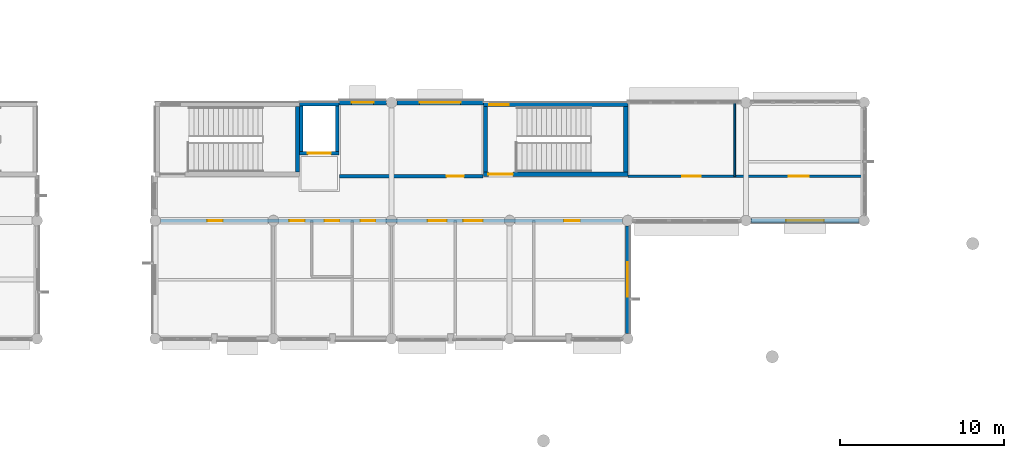
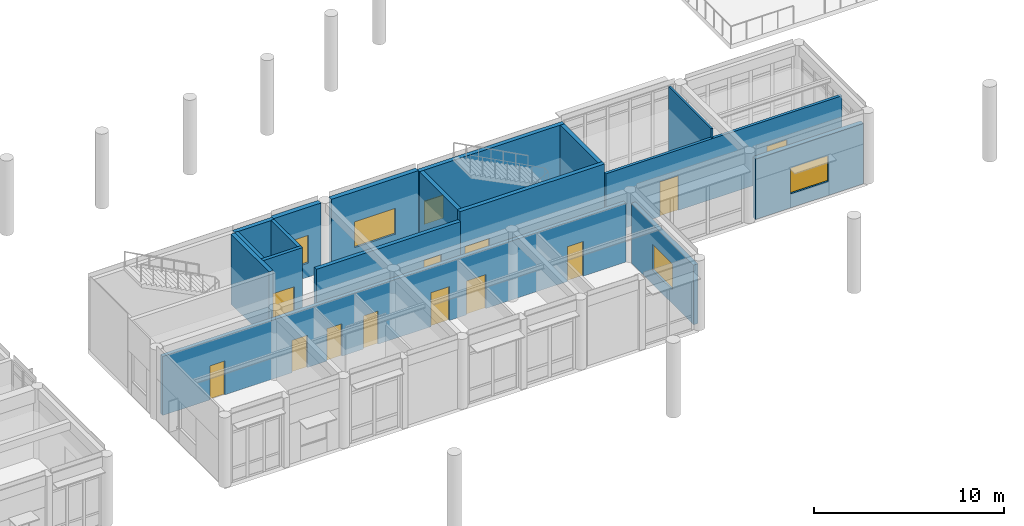
# One storey, part 48 of 92: 17 walls, 12 doors, 5 windows, 17 openings.
"""IFC4 building model written with IfcOpenShell, lengths in metres."""

import ifcopenshell
import ifcopenshell.guid

model = None  # the IFC model being written
_history = None  # IfcOwnerHistory: only IFC2X3 demands one
_inside = {}  # id of a spatial element -> (the spatial element, [elements in it])
_under = {}  # id of a project, library or spatial element -> (it, [spatial elements below it])
_declared = {}  # id of a project -> (the project, [libraries it declares])
_typed = {}  # id of a type object -> (the type object, [elements of that type])
_made_of = {}  # id of a material, layer set ... -> (it, [elements and type objects made of it])


def new_model(schema):
    """Start an empty IFC model of exactly this schema.

    Asked for "IFC4X3", IfcOpenShell would pick the latest addendum, in which some entities
    have other attributes; the version numbers below select the first issue.
    IFC2X3 requires an IfcOwnerHistory on every rooted entity: one is made here for all.
    """
    global model, _history
    if schema == "IFC4X3":
        model = ifcopenshell.file(schema_version=(4, 3, 0, 0))
    else:
        model = ifcopenshell.file(schema=schema)
    _inside.clear()
    _under.clear()
    _declared.clear()
    _typed.clear()
    _made_of.clear()
    _history = None
    if model.schema == "IFC2X3":
        org = make("IfcOrganization", Name="unknown")
        user = make(
            "IfcPersonAndOrganization",
            ThePerson=make("IfcPerson", FamilyName="unknown"),
            TheOrganization=org,
        )
        app = make(
            "IfcApplication",
            ApplicationDeveloper=org,
            Version="unknown",
            ApplicationFullName="unknown",
            ApplicationIdentifier="unknown",
        )
        _history = make(
            "IfcOwnerHistory",
            OwningUser=user,
            OwningApplication=app,
            ChangeAction="ADDED",
            CreationDate=0,
        )
    return model


def make(cls, **values):
    """One entity of the class cls with the attributes given. An attribute that is None is left unset."""
    return model.create_entity(
        cls, **{name: value for name, value in values.items() if value is not None}
    )


def rooted(cls, **values):
    """An entity with a GlobalId (a new one), such as an element, a storey or a relation."""
    return make(cls, GlobalId=ifcopenshell.guid.new(), OwnerHistory=_history, **values)


def si_unit(unit_type, name, prefix=None):
    """IfcSIUnit, for example si_unit("LENGTHUNIT", "METRE", prefix="MILLI")."""
    return make("IfcSIUnit", UnitType=unit_type, Prefix=prefix, Name=name)


def assignment(units):
    """IfcUnitAssignment: the units of a project."""
    return None if units is None else make("IfcUnitAssignment", Units=units)


def point(xyz):
    """IfcCartesianPoint."""
    return None if xyz is None else make("IfcCartesianPoint", Coordinates=xyz)


def direction(xyz):
    """IfcDirection."""
    return None if xyz is None else make("IfcDirection", DirectionRatios=xyz)


def frame(location, z_axis=None, x_axis=None):
    """IfcAxis2Placement3D, a coordinate frame: its origin and axes. An axis left out is left unset."""
    return make(
        "IfcAxis2Placement3D",
        Location=point(location),
        Axis=direction(z_axis),
        RefDirection=direction(x_axis),
    )


def frame_2d(location, x_axis=None):
    """IfcAxis2Placement2D, a coordinate frame in the plane: its origin and x axis."""
    return make(
        "IfcAxis2Placement2D", Location=point(location), RefDirection=direction(x_axis)
    )


def origin():
    """The frame at (0, 0, 0) with its axes left unset."""
    return frame((0.0, 0.0, 0.0))


def place(relative_to, where):
    """IfcLocalPlacement: puts the frame where relative to a parent placement (None: the world)."""
    return make(
        "IfcLocalPlacement", PlacementRelTo=relative_to, RelativePlacement=where
    )


def context(
    kind, dimensions, precision=None, world=None, true_north=None, identifier=None
):
    """IfcGeometricRepresentationContext, for example the 3D "Model" context."""
    return make(
        "IfcGeometricRepresentationContext",
        ContextIdentifier=identifier,
        ContextType=kind,
        CoordinateSpaceDimension=dimensions,
        Precision=precision,
        WorldCoordinateSystem=world,
        TrueNorth=true_north,
    )


def subcontext(parent, identifier, kind, view, scale=None):
    """IfcGeometricRepresentationSubContext, for example "Body" below "Model"."""
    return make(
        "IfcGeometricRepresentationSubContext",
        ContextIdentifier=identifier,
        ContextType=kind,
        ParentContext=parent,
        TargetScale=scale,
        TargetView=view,
    )


def project(units=None, contexts=None):
    """IfcProject with its units and contexts."""
    return rooted(
        "IfcProject",
        Name="project",
        RepresentationContexts=contexts,
        UnitsInContext=assignment(units),
    )


def spatial(cls, under=None, at=None, **own):
    """A site, building, storey or space (cls), placed at a placement, below another one or the project."""
    s = rooted(cls, ObjectPlacement=at, **own)
    if under is not None:
        _under.setdefault(under.id(), (under, []))[1].append(s)
    return s


def profile(cls, at=None, kind="AREA", **sizes):
    """A parametric profile (cls). Its sizes go by their IFC names, for example OverallWidth=200.0."""
    return make(cls, ProfileType=kind, Position=at, **sizes)


def rectangle(**sizes):
    """IfcRectangleProfileDef."""
    return profile("IfcRectangleProfileDef", **sizes)


def extrude(swept, where, along, depth):
    """IfcExtrudedAreaSolid: the profile swept, set in the frame where, extruded along a direction by depth."""
    return make(
        "IfcExtrudedAreaSolid",
        SweptArea=swept,
        Position=where,
        ExtrudedDirection=direction(along),
        Depth=depth,
    )


def shape(context_of_items, identifier, shape_type, items):
    """IfcShapeRepresentation: the items that make up one representation, for example the "Body"."""
    return make(
        "IfcShapeRepresentation",
        ContextOfItems=context_of_items,
        RepresentationIdentifier=identifier,
        RepresentationType=shape_type,
        Items=items,
    )


def material(Name=None, Category=None):
    """IfcMaterial."""
    return make("IfcMaterial", Name=Name, Category=Category)


def layer(
    of_material, thickness, ventilated=None, Name=None, Category=None, Priority=None
):
    """IfcMaterialLayer: one layer of a wall or slab, of a material (None: an air gap)."""
    return make(
        "IfcMaterialLayer",
        Material=of_material,
        LayerThickness=thickness,
        IsVentilated=ventilated,
        Name=Name,
        Category=Category,
        Priority=Priority,
    )


def layer_set(layers, Name=None):
    """IfcMaterialLayerSet."""
    return make("IfcMaterialLayerSet", MaterialLayers=layers, LayerSetName=Name)


def made_of(thing, what):
    """Note that an element or type object is made of a material, layer set ...; save() writes the relation."""
    if what is not None:
        _made_of.setdefault(what.id(), (what, []))[1].append(thing)
    return thing


def type_object(cls, material=None, **own):
    """A type object (cls), such as IfcWallType, which elements share."""
    return made_of(rooted(cls, **own), material)


def element(
    cls,
    number,
    at=None,
    inside=None,
    cuts=None,
    type_object=None,
    material=None,
    context=None,
    identifier="Body",
    shape_type=None,
    held_by="IfcProductDefinitionShape",
    body=None,
    shapes=None,
    **own,
):
    """One element of the class cls, such as IfcWall. Its Tag is "e" and its number.

    at: its placement. inside: the storey or other place that contains it. cuts: it is an
    opening in that element (IfcRelVoidsElement). A single representation is given by context,
    identifier, shape_type and body (its items); several are given by shapes. held_by: the class
    of the entity that holds the representations. save() writes the other relations.
    """
    e = rooted(cls, Tag="e%d" % number, ObjectPlacement=at, **own)
    if body is not None:
        shapes = [shape(context, identifier, shape_type, body)]
    if shapes is not None:
        e.Representation = make(held_by, Representations=shapes)
    if inside is not None:
        _inside.setdefault(inside.id(), (inside, []))[1].append(e)
    if cuts is not None:
        rooted(
            "IfcRelVoidsElement", RelatingBuildingElement=cuts, RelatedOpeningElement=e
        )
    if type_object is not None:
        _typed.setdefault(type_object.id(), (type_object, []))[1].append(e)
    return made_of(e, material)


def fill(opening, filler):
    """IfcRelFillsElement: the door or window that sits in an opening."""
    return rooted(
        "IfcRelFillsElement",
        RelatingOpeningElement=opening,
        RelatedBuildingElement=filler,
    )


def aggregate(whole, parts):
    """IfcRelAggregates: a whole, such as a stair, and the parts it consists of."""
    return rooted("IfcRelAggregates", RelatingObject=whole, RelatedObjects=parts)


def save(model, path):
    """Write the relations noted so far, then the file.

    IfcRelAggregates (storeys below a building ...), IfcRelContainedInSpatialStructure (elements
    in a storey), IfcRelDefinesByType, IfcRelAssociatesMaterial and IfcRelDeclares: one each for
    every whole, place, type object, material and project.
    """
    for whole, parts in _under.values():
        aggregate(whole, parts)
    for where, things in _inside.values():
        rooted(
            "IfcRelContainedInSpatialStructure",
            RelatedElements=things,
            RelatingStructure=where,
        )
    for kind, things in _typed.values():
        rooted("IfcRelDefinesByType", RelatedObjects=things, RelatingType=kind)
    for what, things in _made_of.values():
        rooted("IfcRelAssociatesMaterial", RelatedObjects=things, RelatingMaterial=what)
    for by, libraries in _declared.values():
        rooted("IfcRelDeclares", RelatingContext=by, RelatedDefinitions=libraries)
    model.write(path)


model = new_model("IFC4")

# Units and contexts
model_context = context("Model", 3, precision=1e-05, world=origin(), true_north=direction((0.0, 1.0)))
body_context = subcontext(model_context, "Body", "Model", "MODEL_VIEW")
ifc_project = project(units=[si_unit("LENGTHUNIT", "METRE"), si_unit("AREAUNIT", "SQUARE_METRE"), si_unit("VOLUMEUNIT", "CUBIC_METRE"), si_unit("PLANEANGLEUNIT", "RADIAN"), si_unit("MASSUNIT", "GRAM", prefix="KILO")], contexts=[model_context])

# Site, building, storey
site_placement = place(None, origin())
site = spatial("IfcSite", under=ifc_project, at=site_placement, CompositionType="ELEMENT")
building_placement = place(site_placement, origin())
building = spatial("IfcBuilding", under=site, at=building_placement, Name="Namkhue Oval Health Centre", CompositionType="ELEMENT")
storey_placement = place(building_placement, frame((0.0, 0.0, 4.800048828125)))
storey = spatial("IfcBuildingStorey", under=building, at=storey_placement, Name="L01", CompositionType="ELEMENT", Elevation=4.800048828125)

# Wall, opening, window
ifc_material_1 = material(Name="Autoclaved aerated concrete blockwork M7.5", Category="masonry")
ifc_layer_1 = layer(ifc_material_1, 0.260009765625)
ifc_layer_set_1 = layer_set([ifc_layer_1], Name="Autoclaved aerated concrete blockwork M7.5")
wall_type_1 = type_object("IfcWallType", Name="EXTERIOR ENVELOPE WALL 260", PredefinedType="STANDARD", material=ifc_layer_set_1)
wall_1_placement = place(storey_placement, frame((122.39990234375, 14.719970703125, 0.0), z_axis=(0.0, 0.0, 1.0), x_axis=(0.0, 1.0, 0.0)))
wall_1 = element("IfcWall", 1, at=wall_1_placement, inside=storey, type_object=wall_type_1, Name="Volume V5 L01 Exterior Envelope Wall 121", PredefinedType="STANDARD", context=body_context, shape_type="SweptSolid", body=[
    extrude(rectangle(XDim=6.56005859375, YDim=0.260009765625, at=frame_2d((3.280029296875, 0.0))), origin(), (0.0, 0.0, 1.0), 3.83984375),
])
opening_1_placement = place(wall_1_placement, frame((2.22998046875, 0.0, 0.89990234375)))
opening_1 = element("IfcOpeningElement", 2, at=opening_1_placement, cuts=wall_1, Name="Opening WN-38", PredefinedType="OPENING", context=body_context, shape_type="SweptSolid", body=[
    extrude(rectangle(XDim=2.10009765625, YDim=1.659912109375, at=frame_2d((1.050048828125, 0.830078125))), frame((0.0, 0.139892578125, 0.0), z_axis=(0.0, -1.0, 0.0), x_axis=(1.0, 0.0, 0.0)), (0.0, 0.0, 1.0), 0.280029296875),
])
ifc_material_2 = material(Name="Thermally broken low-E laminated double glazing", Category="glass")
window_type_1 = type_object("IfcWindowType", Name="EXTERIOR WINDOW 2100X1660", PartitioningType="SINGLE_PANEL", PredefinedType="WINDOW", material=ifc_material_2)
window_1_placement = place(opening_1_placement, origin())
window_1 = element("IfcWindow", 3, at=window_1_placement, inside=storey, type_object=window_type_1, Name="Volume V5 L01 Exterior Window 83", OverallHeight=1.659912109375, OverallWidth=2.10009765625, PartitioningType="SINGLE_PANEL", PredefinedType="WINDOW", context=body_context, shape_type="SweptSolid", body=[
    extrude(rectangle(XDim=2.10009765625, YDim=1.659912109375, at=frame_2d((1.050048828125, 0.830078125))), frame((0.0, 0.030029296875, 0.0), z_axis=(0.0, -1.0, 0.0), x_axis=(1.0, 0.0, 0.0)), (0.0, 0.0, 1.0), 0.06005859375),
])
fill(opening_1, window_1)

ifc_layer_2 = layer(ifc_material_1, 0.27001953125)
ifc_layer_set_2 = layer_set([ifc_layer_2], Name="Autoclaved aerated concrete blockwork M7.5")
wall_type_2 = type_object("IfcWallType", Name="EXTERIOR ENVELOPE WALL 270", PredefinedType="STANDARD", material=ifc_layer_set_2)
wall_2_placement = place(storey_placement, frame((129.919921875, 21.60009765625, 0.0), z_axis=(0.0, 0.0, 1.0), x_axis=(1.0, 0.0, 0.0)))
wall_2 = element("IfcWall", 4, at=wall_2_placement, inside=storey, type_object=wall_type_2, Name="Volume V5 L01 Exterior Envelope Wall 122", PredefinedType="STANDARD", context=body_context, shape_type="SweptSolid", body=[
    extrude(rectangle(XDim=6.56005859375, YDim=0.27001953125, at=frame_2d((3.280029296875, 0.0))), origin(), (0.0, 0.0, 1.0), 3.887939453125),
])
opening_2_placement = place(wall_2_placement, frame((2.1298828125, 0.0, 0.89990234375)))
opening_2 = element("IfcOpeningElement", 5, at=opening_2_placement, cuts=wall_2, Name="Opening WN-39", PredefinedType="OPENING", context=body_context, shape_type="SweptSolid", body=[
    extrude(rectangle(XDim=2.300048828125, YDim=1.659912109375, at=frame_2d((1.14990234375, 0.830078125))), frame((0.0, 0.14501953125, 0.0), z_axis=(0.0, -1.0, 0.0), x_axis=(1.0, 0.0, 0.0)), (0.0, 0.0, 1.0), 0.2900390625),
])
window_type_2 = type_object("IfcWindowType", Name="EXTERIOR WINDOW 2300X1660", PartitioningType="SINGLE_PANEL", PredefinedType="WINDOW", material=ifc_material_2)
window_2_placement = place(opening_2_placement, origin())
window_2 = element("IfcWindow", 6, at=window_2_placement, inside=storey, type_object=window_type_2, Name="Volume V5 L01 Exterior Window 84", OverallHeight=1.659912109375, OverallWidth=2.300048828125, PartitioningType="SINGLE_PANEL", PredefinedType="WINDOW", context=body_context, shape_type="SweptSolid", body=[
    extrude(rectangle(XDim=2.300048828125, YDim=1.659912109375, at=frame_2d((1.14990234375, 0.830078125))), frame((0.0, 0.030029296875, 0.0), z_axis=(0.0, -1.0, 0.0), x_axis=(1.0, 0.0, 0.0)), (0.0, 0.0, 1.0), 0.06005859375),
])
fill(opening_2, window_2)

ifc_layer_3 = layer(ifc_material_1, 0.280029296875)
ifc_layer_set_3 = layer_set([ifc_layer_3], Name="Autoclaved aerated concrete blockwork M7.5")
wall_type_3 = type_object("IfcWallType", Name="EXTERIOR ENVELOPE WALL 280", PredefinedType="STANDARD", material=ifc_layer_set_3)
wall_3_placement = place(storey_placement, frame((113.597900390625, 28.800048828125, 0.0), z_axis=(0.0, 0.0, 1.0), x_axis=(-1.0, 0.0, 0.0)))
wall_3 = element("IfcWall", 7, at=wall_3_placement, inside=storey, type_object=wall_type_3, Name="Volume V5 L01 Exterior Envelope Wall 123", PredefinedType="STANDARD", context=body_context, shape_type="SweptSolid", body=[
    extrude(rectangle(XDim=5.27783203125, YDim=0.280029296875, at=frame_2d((2.638916015625, 0.0))), origin(), (0.0, 0.0, 1.0), 4.489990234375),
])
opening_3_placement = place(wall_3_placement, frame((1.388916015625, 0.0, 0.89990234375)))
opening_3 = element("IfcOpeningElement", 8, at=opening_3_placement, cuts=wall_3, Name="Opening WN-40", PredefinedType="OPENING", context=body_context, shape_type="SweptSolid", body=[
    extrude(rectangle(XDim=2.5, YDim=1.659912109375, at=frame_2d((1.25, 0.830078125))), frame((0.0, 0.14990234375, 0.0), z_axis=(0.0, -1.0, 0.0), x_axis=(1.0, 0.0, 0.0)), (0.0, 0.0, 1.0), 0.300048828125),
])
window_type_3 = type_object("IfcWindowType", Name="EXTERIOR WINDOW 2500X1660", PartitioningType="SINGLE_PANEL", PredefinedType="WINDOW", material=ifc_material_2)
window_3_placement = place(opening_3_placement, origin())
window_3 = element("IfcWindow", 9, at=window_3_placement, inside=storey, type_object=window_type_3, Name="Volume V5 L01 Exterior Window 85", OverallHeight=1.659912109375, OverallWidth=2.5, PartitioningType="SINGLE_PANEL", PredefinedType="WINDOW", context=body_context, shape_type="SweptSolid", body=[
    extrude(rectangle(XDim=2.5, YDim=1.659912109375, at=frame_2d((1.25, 0.830078125))), frame((0.0, 0.030029296875, 0.0), z_axis=(0.0, -1.0, 0.0), x_axis=(1.0, 0.0, 0.0)), (0.0, 0.0, 1.0), 0.06005859375),
])
fill(opening_3, window_3)

ifc_layer_4 = layer(ifc_material_1, 0.2900390625)
ifc_layer_set_4 = layer_set([ifc_layer_4], Name="Autoclaved aerated concrete blockwork M7.5")
wall_type_4 = type_object("IfcWallType", Name="EXTERIOR ENVELOPE WALL 290", PredefinedType="STANDARD", material=ifc_layer_set_4)
wall_4_placement = place(storey_placement, frame((107.679931640625, 28.800048828125, 0.0), z_axis=(0.0, 0.0, 1.0), x_axis=(-1.0, 0.0, 0.0)))
wall_4 = element("IfcWall", 10, at=wall_4_placement, inside=storey, type_object=wall_type_4, Name="Volume V5 L01 Exterior Envelope Wall 124", PredefinedType="STANDARD", context=body_context, shape_type="SweptSolid", body=[
    extrude(rectangle(XDim=2.8779296875, YDim=0.2900390625, at=frame_2d((1.43896484375, 0.0))), origin(), (0.0, 0.0, 1.0), 4.489990234375),
])
opening_4_placement = place(wall_4_placement, frame((0.763916015625, 0.0, 0.89990234375)))
opening_4 = element("IfcOpeningElement", 11, at=opening_4_placement, cuts=wall_4, Name="Opening WN-41", PredefinedType="OPENING", context=body_context, shape_type="SweptSolid", body=[
    extrude(rectangle(XDim=1.35009765625, YDim=1.780029296875, at=frame_2d((0.675048828125, 0.89013671875))), frame((0.0, 0.155029296875, 0.0), z_axis=(0.0, -1.0, 0.0), x_axis=(1.0, 0.0, 0.0)), (0.0, 0.0, 1.0), 0.31005859375),
])
window_type_4 = type_object("IfcWindowType", Name="EXTERIOR WINDOW 1350X1780", PartitioningType="SINGLE_PANEL", PredefinedType="WINDOW", material=ifc_material_2)
window_4_placement = place(opening_4_placement, origin())
window_4 = element("IfcWindow", 12, at=window_4_placement, inside=storey, type_object=window_type_4, Name="Volume V5 L01 Exterior Window 86", OverallHeight=1.780029296875, OverallWidth=1.35009765625, PartitioningType="SINGLE_PANEL", PredefinedType="WINDOW", context=body_context, shape_type="SweptSolid", body=[
    extrude(rectangle(XDim=1.35009765625, YDim=1.780029296875, at=frame_2d((0.675048828125, 0.89013671875))), frame((0.0, 0.030029296875, 0.0), z_axis=(0.0, -1.0, 0.0), x_axis=(1.0, 0.0, 0.0)), (0.0, 0.0, 1.0), 0.06005859375),
])
fill(opening_4, window_4)

# Wall, openings, doors
ifc_material_3 = material(Name="Gypsum plasterboard acoustic partition", Category="gypsum")
ifc_layer_5 = layer(ifc_material_3, 0.169921875)
ifc_layer_set_5 = layer_set([ifc_layer_5], Name="Gypsum plasterboard acoustic partition")
wall_type_5 = type_object("IfcWallType", Name="FIRE PARTITION WALL 170", PredefinedType="PARTITIONING", material=ifc_layer_set_5)
wall_5_placement = place(storey_placement, frame((122.419921875, 24.300048828125, 0.0), z_axis=(0.0, 0.0, 1.0), x_axis=(1.0, 0.0, 0.0)))
wall_5 = element("IfcWall", 13, at=wall_5_placement, inside=storey, type_object=wall_type_5, Name="Volume V5 L01 Clinical Partition Wall 225", PredefinedType="PARTITIONING", context=body_context, shape_type="SweptSolid", body=[
    extrude(rectangle(XDim=14.340087890625, YDim=0.169921875, at=frame_2d((7.169921875, 0.0))), origin(), (0.0, 0.0, 1.0), 3.887939453125),
])
opening_5_placement = place(wall_5_placement, frame((3.302001953125, 0.0, 0.0)))
opening_5 = element("IfcOpeningElement", 14, at=opening_5_placement, cuts=wall_5, Name="Opening CD-21", PredefinedType="OPENING", context=body_context, shape_type="SweptSolid", body=[
    extrude(rectangle(XDim=1.1201171875, YDim=2.22998046875, at=frame_2d((0.56005859375, 1.114990234375))), frame((0.0, 0.094970703125, 0.0), z_axis=(0.0, -1.0, 0.0), x_axis=(1.0, 0.0, 0.0)), (0.0, 0.0, 1.0), 0.18994140625),
])
opening_6_placement = place(wall_5_placement, frame((9.797119140625, 0.0, 0.0)))
opening_6 = element("IfcOpeningElement", 15, at=opening_6_placement, cuts=wall_5, Name="Opening CD-22", PredefinedType="OPENING", context=body_context, shape_type="SweptSolid", body=[
    extrude(rectangle(XDim=1.199951171875, YDim=2.22998046875, at=frame_2d((0.60009765625, 1.114990234375))), frame((0.0, 0.094970703125, 0.0), z_axis=(0.0, -1.0, 0.0), x_axis=(1.0, 0.0, 0.0)), (0.0, 0.0, 1.0), 0.18994140625),
])
ifc_material_4 = material(Name="High-pressure laminate timber clinical door", Category="wood")
door_type_1 = type_object("IfcDoorType", Name="CLINICAL DOOR 1120X2230", OperationType="NOTDEFINED", PredefinedType="DOOR", material=ifc_material_4)
door_1_placement = place(opening_5_placement, origin())
door_1 = element("IfcDoor", 16, at=door_1_placement, inside=storey, type_object=door_type_1, Name="Volume V5 L01 Digital CAD CAM Dental Studio Door 195", OperationType="SINGLE_SWING_LEFT", OverallHeight=2.22998046875, OverallWidth=1.1201171875, PredefinedType="DOOR", context=body_context, shape_type="SweptSolid", body=[
    extrude(rectangle(XDim=1.1201171875, YDim=2.22998046875, at=frame_2d((0.56005859375, 1.114990234375))), frame((0.0, 0.02490234375, 0.0), z_axis=(0.0, -1.0, 0.0), x_axis=(1.0, 0.0, 0.0)), (0.0, 0.0, 1.0), 0.050048828125),
])
fill(opening_5, door_1)
door_type_2 = type_object("IfcDoorType", Name="CLINICAL DOOR 1200X2230", OperationType="NOTDEFINED", PredefinedType="DOOR", material=ifc_material_4)
door_2_placement = place(opening_6_placement, origin())
door_2 = element("IfcDoor", 17, at=door_2_placement, inside=storey, type_object=door_type_2, Name="Volume V5 L01 Implantology Procedure Room Door 196", OperationType="SINGLE_SWING_RIGHT", OverallHeight=2.22998046875, OverallWidth=1.199951171875, PredefinedType="DOOR", context=body_context, shape_type="SweptSolid", body=[
    extrude(rectangle(XDim=1.199951171875, YDim=2.22998046875, at=frame_2d((0.60009765625, 1.114990234375))), frame((0.0, 0.02490234375, 0.0), z_axis=(0.0, -1.0, 0.0), x_axis=(1.0, 0.0, 0.0)), (0.0, 0.0, 1.0), 0.050048828125),
])
fill(opening_6, door_2)

ifc_material_5 = material(Name="Lead-lined barium plasterboard radiation partition", Category="gypsum")
ifc_layer_6 = layer(ifc_material_5, 0.22509765625)
ifc_layer_set_6 = layer_set([ifc_layer_6], Name="Lead-lined barium plasterboard radiation partition")
wall_type_6 = type_object("IfcWallType", Name="FIRE PARTITION WALL 225", PredefinedType="PARTITIONING", material=ifc_layer_set_6)
wall_6_placement = place(storey_placement, frame((93.925048828125, 21.60009765625, 0.0), z_axis=(0.0, 0.0, 1.0), x_axis=(1.0, 0.0, 0.0)))
wall_6 = element("IfcWall", 18, at=wall_6_placement, inside=storey, type_object=wall_type_6, Name="Volume V5 L01 Clinical Partition Wall 216", PredefinedType="PARTITIONING", context=body_context, shape_type="SweptSolid", body=[
    extrude(rectangle(XDim=28.14990234375, YDim=0.22509765625, at=frame_2d((14.074951171875, 0.0))), origin(), (0.0, 0.0, 1.0), 3.7900390625),
])
opening_7_placement = place(wall_6_placement, frame((2.85791015625, 0.0, 0.0)))
opening_7 = element("IfcOpeningElement", 19, at=opening_7_placement, cuts=wall_6, Name="Opening CD-13", PredefinedType="OPENING", context=body_context, shape_type="SweptSolid", body=[
    extrude(rectangle(XDim=0.919921875, YDim=2.179931640625, at=frame_2d((0.4599609375, 1.08984375))), frame((0.0, 0.12255859375, 0.0), z_axis=(0.0, -1.0, 0.0), x_axis=(1.0, 0.0, 0.0)), (0.0, 0.0, 1.0), 0.2451171875),
])
opening_8_placement = place(wall_6_placement, frame((7.844970703125, 0.0, 0.0)))
opening_8 = element("IfcOpeningElement", 20, at=opening_8_placement, cuts=wall_6, Name="Opening CD-02", PredefinedType="OPENING", context=body_context, shape_type="SweptSolid", body=[
    extrude(rectangle(XDim=0.93994140625, YDim=2.080078125, at=frame_2d((0.469970703125, 1.0400390625))), frame((0.0, 0.12255859375, 0.0), z_axis=(0.0, -1.0, 0.0), x_axis=(1.0, 0.0, 0.0)), (0.0, 0.0, 1.0), 0.2451171875),
])
opening_9_placement = place(wall_6_placement, frame((9.9951171875, 0.0, 0.0)))
opening_9 = element("IfcOpeningElement", 21, at=opening_9_placement, cuts=wall_6, Name="Opening CD-01", PredefinedType="OPENING", context=body_context, shape_type="SweptSolid", body=[
    extrude(rectangle(XDim=0.89990234375, YDim=2.080078125, at=frame_2d((0.449951171875, 1.0400390625))), frame((0.0, 0.12255859375, 0.0), z_axis=(0.0, -1.0, 0.0), x_axis=(1.0, 0.0, 0.0)), (0.0, 0.0, 1.0), 0.2451171875),
])
opening_10_placement = place(wall_6_placement, frame((12.18505859375, 0.0, 0.0)))
opening_10 = element("IfcOpeningElement", 22, at=opening_10_placement, cuts=wall_6, Name="Opening CD-07", PredefinedType="OPENING", context=body_context, shape_type="SweptSolid", body=[
    extrude(rectangle(XDim=0.89990234375, YDim=2.1298828125, at=frame_2d((0.449951171875, 1.06494140625))), frame((0.0, 0.12255859375, 0.0), z_axis=(0.0, -1.0, 0.0), x_axis=(1.0, 0.0, 0.0)), (0.0, 0.0, 1.0), 0.2451171875),
])
opening_11_placement = place(wall_6_placement, frame((16.2958984375, 0.0, 0.0)))
opening_11 = element("IfcOpeningElement", 23, at=opening_11_placement, cuts=wall_6, Name="Opening CD-17", PredefinedType="OPENING", context=body_context, shape_type="SweptSolid", body=[
    extrude(rectangle(XDim=1.1298828125, YDim=2.179931640625, at=frame_2d((0.56494140625, 1.08984375))), frame((0.0, 0.12255859375, 0.0), z_axis=(0.0, -1.0, 0.0), x_axis=(1.0, 0.0, 0.0)), (0.0, 0.0, 1.0), 0.2451171875),
])
opening_12_placement = place(wall_6_placement, frame((18.450927734375, 0.0, 0.0)))
opening_12 = element("IfcOpeningElement", 24, at=opening_12_placement, cuts=wall_6, Name="Opening CD-18", PredefinedType="OPENING", context=body_context, shape_type="SweptSolid", body=[
    extrude(rectangle(XDim=1.179931640625, YDim=2.179931640625, at=frame_2d((0.58984375, 1.08984375))), frame((0.0, 0.12255859375, 0.0), z_axis=(0.0, -1.0, 0.0), x_axis=(1.0, 0.0, 0.0)), (0.0, 0.0, 1.0), 0.2451171875),
])
opening_13_placement = place(wall_6_placement, frame((24.594970703125, 0.0, 0.0)))
opening_13 = element("IfcOpeningElement", 25, at=opening_13_placement, cuts=wall_6, Name="Opening CD-19", PredefinedType="OPENING", context=body_context, shape_type="SweptSolid", body=[
    extrude(rectangle(XDim=0.9599609375, YDim=2.22998046875, at=frame_2d((0.47998046875, 1.114990234375))), frame((0.0, 0.12255859375, 0.0), z_axis=(0.0, -1.0, 0.0), x_axis=(1.0, 0.0, 0.0)), (0.0, 0.0, 1.0), 0.2451171875),
])
door_type_3 = type_object("IfcDoorType", Name="CLINICAL DOOR 1130X2180", OperationType="NOTDEFINED", PredefinedType="DOOR", material=ifc_material_4)
door_3_placement = place(opening_11_placement, frame((1.1298828125, 0.0, 0.0), z_axis=(0.0, 0.0, 1.0), x_axis=(-1.0, 0.0, 0.0)))
door_3 = element("IfcDoor", 26, at=door_3_placement, inside=storey, type_object=door_type_3, Name="Volume V5 L01 Dental Laboratory Room Door 191", OperationType="SINGLE_SWING_LEFT", OverallHeight=2.179931640625, OverallWidth=1.1298828125, PredefinedType="DOOR", context=body_context, shape_type="SweptSolid", body=[
    extrude(rectangle(XDim=1.1298828125, YDim=2.179931640625, at=frame_2d((0.56494140625, 1.08984375))), frame((0.0, 0.02490234375, 0.0), z_axis=(0.0, -1.0, 0.0), x_axis=(1.0, 0.0, 0.0)), (0.0, 0.0, 1.0), 0.050048828125),
])
fill(opening_11, door_3)
door_type_4 = type_object("IfcDoorType", Name="CLINICAL DOOR 1180X2180", OperationType="NOTDEFINED", PredefinedType="DOOR", material=ifc_material_4)
door_4_placement = place(opening_12_placement, frame((1.179931640625, 0.0, 0.0), z_axis=(0.0, 0.0, 1.0), x_axis=(-1.0, 0.0, 0.0)))
door_4 = element("IfcDoor", 27, at=door_4_placement, inside=storey, type_object=door_type_4, Name="Volume V5 L01 Prosthodontics Dental Clinic Door 192", OperationType="SINGLE_SWING_RIGHT", OverallHeight=2.179931640625, OverallWidth=1.179931640625, PredefinedType="DOOR", context=body_context, shape_type="SweptSolid", body=[
    extrude(rectangle(XDim=1.179931640625, YDim=2.179931640625, at=frame_2d((0.58984375, 1.08984375))), frame((0.0, 0.02490234375, 0.0), z_axis=(0.0, -1.0, 0.0), x_axis=(1.0, 0.0, 0.0)), (0.0, 0.0, 1.0), 0.050048828125),
])
fill(opening_12, door_4)
door_type_5 = type_object("IfcDoorType", Name="CLINICAL DOOR 900X2080", OperationType="NOTDEFINED", PredefinedType="DOOR", material=ifc_material_4)
door_5_placement = place(opening_9_placement, frame((0.89990234375, 0.0, 0.0), z_axis=(0.0, 0.0, 1.0), x_axis=(-1.0, 0.0, 0.0)))
door_5 = element("IfcDoor", 28, at=door_5_placement, inside=storey, type_object=door_type_5, Name="Volume V5 L01 Accessible WC Door 189", OperationType="SINGLE_SWING_LEFT", OverallHeight=2.080078125, OverallWidth=0.89990234375, PredefinedType="DOOR", context=body_context, shape_type="SweptSolid", body=[
    extrude(rectangle(XDim=0.89990234375, YDim=2.080078125, at=frame_2d((0.449951171875, 1.0400390625))), frame((0.0, 0.02490234375, 0.0), z_axis=(0.0, -1.0, 0.0), x_axis=(1.0, 0.0, 0.0)), (0.0, 0.0, 1.0), 0.050048828125),
])
fill(opening_9, door_5)
door_type_6 = type_object("IfcDoorType", Name="CLINICAL DOOR 900X2130", OperationType="NOTDEFINED", PredefinedType="DOOR", material=ifc_material_4)
door_6_placement = place(opening_10_placement, frame((0.89990234375, 0.0, 0.0), z_axis=(0.0, 0.0, 1.0), x_axis=(-1.0, 0.0, 0.0)))
door_6 = element("IfcDoor", 29, at=door_6_placement, inside=storey, type_object=door_type_6, Name="Volume V5 L01 Staff Washroom Door 190", OperationType="SINGLE_SWING_RIGHT", OverallHeight=2.1298828125, OverallWidth=0.89990234375, PredefinedType="DOOR", context=body_context, shape_type="SweptSolid", body=[
    extrude(rectangle(XDim=0.89990234375, YDim=2.1298828125, at=frame_2d((0.449951171875, 1.06494140625))), frame((0.0, 0.02490234375, 0.0), z_axis=(0.0, -1.0, 0.0), x_axis=(1.0, 0.0, 0.0)), (0.0, 0.0, 1.0), 0.050048828125),
])
fill(opening_10, door_6)
door_type_7 = type_object("IfcDoorType", Name="CLINICAL DOOR 920X2180", OperationType="NOTDEFINED", PredefinedType="DOOR", material=ifc_material_4)
door_7_placement = place(opening_7_placement, frame((0.919921875, 0.0, 0.0), z_axis=(0.0, 0.0, 1.0), x_axis=(-1.0, 0.0, 0.0)))
door_7 = element("IfcDoor", 30, at=door_7_placement, inside=storey, type_object=door_type_7, Name="Volume V5 L01 Oral Surgery Procedure Suite Door 187", OperationType="SINGLE_SWING_LEFT", OverallHeight=2.179931640625, OverallWidth=0.919921875, PredefinedType="DOOR", context=body_context, shape_type="SweptSolid", body=[
    extrude(rectangle(XDim=0.919921875, YDim=2.179931640625, at=frame_2d((0.4599609375, 1.08984375))), frame((0.0, 0.02490234375, 0.0), z_axis=(0.0, -1.0, 0.0), x_axis=(1.0, 0.0, 0.0)), (0.0, 0.0, 1.0), 0.050048828125),
])
fill(opening_7, door_7)
door_type_8 = type_object("IfcDoorType", Name="CLINICAL DOOR 940X2080", OperationType="NOTDEFINED", PredefinedType="DOOR", material=ifc_material_4)
door_8_placement = place(opening_8_placement, frame((0.93994140625, 0.0, 0.0), z_axis=(0.0, 0.0, 1.0), x_axis=(-1.0, 0.0, 0.0)))
door_8 = element("IfcDoor", 31, at=door_8_placement, inside=storey, type_object=door_type_8, Name="Volume V5 L01 Oral Surgery Clean Utility Door 188", OperationType="SINGLE_SWING_LEFT", OverallHeight=2.080078125, OverallWidth=0.93994140625, PredefinedType="DOOR", context=body_context, shape_type="SweptSolid", body=[
    extrude(rectangle(XDim=0.93994140625, YDim=2.080078125, at=frame_2d((0.469970703125, 1.0400390625))), frame((0.0, 0.02490234375, 0.0), z_axis=(0.0, -1.0, 0.0), x_axis=(1.0, 0.0, 0.0)), (0.0, 0.0, 1.0), 0.050048828125),
])
fill(opening_8, door_8)
door_type_9 = type_object("IfcDoorType", Name="CLINICAL DOOR 960X2230", OperationType="NOTDEFINED", PredefinedType="DOOR", material=ifc_material_4)
door_9_placement = place(opening_13_placement, frame((0.9599609375, 0.0, 0.0), z_axis=(0.0, 0.0, 1.0), x_axis=(-1.0, 0.0, 0.0)))
door_9 = element("IfcDoor", 32, at=door_9_placement, inside=storey, type_object=door_type_9, Name="Volume V5 L01 Orthodontics Consultation Room Door 193", OperationType="SINGLE_SWING_LEFT", OverallHeight=2.22998046875, OverallWidth=0.9599609375, PredefinedType="DOOR", context=body_context, shape_type="SweptSolid", body=[
    extrude(rectangle(XDim=0.9599609375, YDim=2.22998046875, at=frame_2d((0.47998046875, 1.114990234375))), frame((0.0, 0.02490234375, 0.0), z_axis=(0.0, -1.0, 0.0), x_axis=(1.0, 0.0, 0.0)), (0.0, 0.0, 1.0), 0.050048828125),
])
fill(opening_13, door_9)

# Wall, opening, door
ifc_layer_7 = layer(ifc_material_5, 0.235107421875)
ifc_layer_set_7 = layer_set([ifc_layer_7], Name="Lead-lined barium plasterboard radiation partition")
wall_type_7 = type_object("IfcWallType", Name="FIRE PARTITION WALL 235", PredefinedType="PARTITIONING", material=ifc_layer_set_7)
wall_7_placement = place(storey_placement, frame((104.820068359375, 24.300048828125, 0.0), z_axis=(0.0, 0.0, 1.0), x_axis=(1.0, 0.0, 0.0)))
wall_7 = element("IfcWall", 33, at=wall_7_placement, inside=storey, type_object=wall_type_7, Name="Volume V5 L01 Clinical Partition Wall 224", PredefinedType="PARTITIONING", context=body_context, shape_type="SweptSolid", body=[
    extrude(rectangle(XDim=8.760009765625, YDim=0.235107421875, at=frame_2d((4.3798828125, 0.0))), origin(), (0.0, 0.0, 1.0), 3.93994140625),
])
opening_14_placement = place(wall_7_placement, frame((6.544921875, 0.0, 0.0)))
opening_14 = element("IfcOpeningElement", 34, at=opening_14_placement, cuts=wall_7, Name="Opening CD-20", PredefinedType="OPENING", context=body_context, shape_type="SweptSolid", body=[
    extrude(rectangle(XDim=1.0400390625, YDim=2.22998046875, at=frame_2d((0.52001953125, 1.114990234375))), frame((0.0, 0.12744140625, 0.0), z_axis=(0.0, -1.0, 0.0), x_axis=(1.0, 0.0, 0.0)), (0.0, 0.0, 1.0), 0.255126953125),
])
door_type_10 = type_object("IfcDoorType", Name="CLINICAL DOOR 1040X2230", OperationType="NOTDEFINED", PredefinedType="DOOR", material=ifc_material_4)
door_10_placement = place(opening_14_placement, origin())
door_10 = element("IfcDoor", 35, at=door_10_placement, inside=storey, type_object=door_type_10, Name="Volume V5 L01 Maxillofacial Consultation Room Door 194", OperationType="SINGLE_SWING_RIGHT", OverallHeight=2.22998046875, OverallWidth=1.0400390625, PredefinedType="DOOR", context=body_context, shape_type="SweptSolid", body=[
    extrude(rectangle(XDim=1.0400390625, YDim=2.22998046875, at=frame_2d((0.52001953125, 1.114990234375))), frame((0.0, 0.02490234375, 0.0), z_axis=(0.0, -1.0, 0.0), x_axis=(1.0, 0.0, 0.0)), (0.0, 0.0, 1.0), 0.050048828125),
])
fill(opening_14, door_10)

# Wall
ifc_layer_8 = layer(ifc_material_3, 0.110107421875)
ifc_layer_set_8 = layer_set([ifc_layer_8], Name="Gypsum plasterboard acoustic partition")
wall_type_8 = type_object("IfcWallType", Name="INTERIOR PARTITION WALL 110", PredefinedType="PARTITIONING", material=ifc_layer_set_8)
wall_8_placement = place(storey_placement, frame((128.919921875, 24.300048828125, 0.0), z_axis=(0.0, 0.0, 1.0), x_axis=(0.0, 1.0, 0.0)))
element("IfcWall", 36, at=wall_8_placement, inside=storey, type_object=wall_type_8, Name="Volume V5 L01 Clinical Partition Wall 226", PredefinedType="PARTITIONING", context=body_context, shape_type="SweptSolid", body=[
    extrude(rectangle(XDim=4.4599609375, YDim=0.110107421875, at=frame_2d((2.22998046875, 0.0))), origin(), (0.0, 0.0, 1.0), 4.489990234375),
])

# Wall, opening, window
ifc_material_6 = material(Name="Reinforced concrete C35/45 (TCVN B40)", Category="concrete")
ifc_layer_9 = layer(ifc_material_6, 0.25)
ifc_layer_set_9 = layer_set([ifc_layer_9], Name="Reinforced concrete C35/45 (TCVN B40)")
wall_type_9 = type_object("IfcWallType", Name="SHEAR CORE WALL EXT 250", PredefinedType="SHEAR", material=ifc_layer_set_9)
wall_9_placement = place(storey_placement, frame((122.39990234375, 28.675048828125, 0.0), z_axis=(0.0, 0.0, 1.0), x_axis=(-1.0, 0.0, 0.0)))
wall_9 = element("IfcWall", 37, at=wall_9_placement, inside=storey, type_object=wall_type_9, Name="Core SC-10 L01 Shear Wall N", PredefinedType="SHEAR", context=body_context, shape_type="SweptSolid", body=[
    extrude(rectangle(XDim=8.7998046875, YDim=0.25, at=frame_2d((4.39990234375, 0.0))), origin(), (0.0, 0.0, 1.0), 4.489990234375),
])
opening_15_placement = place(wall_9_placement, frame((7.27001953125, 0.0, 0.919921875)))
opening_15 = element("IfcOpeningElement", 38, at=opening_15_placement, cuts=wall_9, Name="Opening SWN-01", PredefinedType="OPENING", context=body_context, shape_type="SweptSolid", body=[
    extrude(rectangle(XDim=1.179931640625, YDim=1.47998046875, at=frame_2d((0.58984375, 0.739990234375))), frame((0.0, 0.135009765625, 0.0), z_axis=(0.0, -1.0, 0.0), x_axis=(1.0, 0.0, 0.0)), (0.0, 0.0, 1.0), 0.27001953125),
])
ifc_material_7 = material(Name="Fire-rated insulated safety double glazing", Category="glass")
window_type_5 = type_object("IfcWindowType", Name="EXTERIOR WINDOW STAIRWELL 1180X1480", PartitioningType="SINGLE_PANEL", PredefinedType="WINDOW", material=ifc_material_7)
window_5_placement = place(opening_15_placement, origin())
window_5 = element("IfcWindow", 39, at=window_5_placement, inside=storey, type_object=window_type_5, Name="Stair ST-10 L01 Stairwell Daylight Window", OverallHeight=1.47998046875, OverallWidth=1.179931640625, PartitioningType="SINGLE_PANEL", PredefinedType="WINDOW", context=body_context, shape_type="SweptSolid", body=[
    extrude(rectangle(XDim=1.179931640625, YDim=1.47998046875, at=frame_2d((0.58984375, 0.739990234375))), frame((0.0, 0.030029296875, 0.0), z_axis=(0.0, -1.0, 0.0), x_axis=(1.0, 0.0, 0.0)), (0.0, 0.0, 1.0), 0.06005859375),
])
fill(opening_15, window_5)

# Wall
wall_10_placement = place(storey_placement, frame((104.800048828125, 28.699951171875, 0.0), z_axis=(0.0, 0.0, 1.0), x_axis=(-1.0, 0.0, 0.0)))
element("IfcWall", 40, at=wall_10_placement, inside=storey, type_object=wall_type_9, Name="Lift LF-06 L01 Shaft Wall N", PredefinedType="SHEAR", context=body_context, shape_type="SweptSolid", body=[
    extrude(rectangle(XDim=2.400146484375, YDim=0.25, at=frame_2d((1.2001953125, 0.0))), origin(), (0.0, 0.0, 1.0), 4.489990234375),
])

# Wall, opening, door
ifc_layer_10 = layer(ifc_material_6, 0.199951171875)
ifc_layer_set_10 = layer_set([ifc_layer_10], Name="Reinforced concrete C35/45 (TCVN B40)")
wall_type_10 = type_object("IfcWallType", Name="SHEAR CORE WALL INT 200", PredefinedType="SHEAR", material=ifc_layer_set_10)
wall_11_placement = place(storey_placement, frame((102.39990234375, 25.699951171875, 0.0), z_axis=(0.0, 0.0, 1.0), x_axis=(1.0, 0.0, 0.0)))
wall_11 = element("IfcWall", 41, at=wall_11_placement, inside=storey, type_object=wall_type_10, Name="Lift LF-06 L01 Shaft Wall S", PredefinedType="SHEAR", context=body_context, shape_type="SweptSolid", body=[
    extrude(rectangle(XDim=2.400146484375, YDim=0.199951171875, at=frame_2d((1.2001953125, 0.0))), origin(), (0.0, 0.0, 1.0), 4.489990234375),
])
opening_16_placement = place(wall_11_placement, frame((0.5, 0.0, 0.0)))
opening_16 = element("IfcOpeningElement", 42, at=opening_16_placement, cuts=wall_11, Name="Opening LD-01", PredefinedType="OPENING", context=body_context, shape_type="SweptSolid", body=[
    extrude(rectangle(XDim=1.39990234375, YDim=2.14990234375, at=frame_2d((0.699951171875, 1.074951171875))), frame((0.0, 0.10986328125, 0.0), z_axis=(0.0, -1.0, 0.0), x_axis=(1.0, 0.0, 0.0)), (0.0, 0.0, 1.0), 0.219970703125),
])
ifc_material_8 = material(Name="Powder-coated steel fire door assembly", Category="steel")
door_type_11 = type_object("IfcDoorType", Name="LIFT LANDING DOOR STRETCHER 1400X2150", OperationType="DOUBLE_DOOR_SLIDING", PredefinedType="DOOR", material=ifc_material_8)
door_11_placement = place(opening_16_placement, frame((1.39990234375, 0.0, 0.0), z_axis=(0.0, 0.0, 1.0), x_axis=(-1.0, 0.0, 0.0)))
door_11 = element("IfcDoor", 43, at=door_11_placement, inside=storey, type_object=door_type_11, Name="Lift LF-06 L01 Sliding Landing Door", OperationType="DOUBLE_DOOR_SLIDING", OverallHeight=2.14990234375, OverallWidth=1.39990234375, PredefinedType="DOOR", context=body_context, shape_type="SweptSolid", body=[
    extrude(rectangle(XDim=1.39990234375, YDim=2.14990234375, at=frame_2d((0.699951171875, 1.074951171875))), frame((0.0, 0.02490234375, 0.0), z_axis=(0.0, -1.0, 0.0), x_axis=(1.0, 0.0, 0.0)), (0.0, 0.0, 1.0), 0.050048828125),
])
fill(opening_16, door_11)

# Walls
for number, where, z_axis, x_axis, name in (
    (44, (104.699951171875, 25.800048828125, 0.0), (0.0, 0.0, 1.0), (0.0, 1.0, 0.0), "Lift LF-06 L01 Shaft Wall E"),
    (45, (102.5, 28.60009765625, 0.0), (0.0, 0.0, 1.0), (0.0, -1.0, 0.0), "Lift LF-06 L01 Shaft Wall W"),
):
    element("IfcWall", number, at=place(storey_placement, frame(where, z_axis=z_axis, x_axis=x_axis)), inside=storey, type_object=wall_type_10, Name=name, PredefinedType="SHEAR", context=body_context, shape_type="SweptSolid", body=[
        extrude(rectangle(XDim=2.800048828125, YDim=0.199951171875, at=frame_2d((1.39990234375, 0.0))), origin(), (0.0, 0.0, 1.0), 4.489990234375),
    ])
ifc_layer_11 = layer(ifc_material_6, 0.25)
ifc_layer_set_11 = layer_set([ifc_layer_11], Name="Reinforced concrete C35/45 (TCVN B40)")
wall_type_11 = type_object("IfcWallType", Name="SHEAR CORE WALL INT 250", PredefinedType="SHEAR", material=ifc_layer_set_11)
wall_12_placement = place(storey_placement, frame((102.27490234375, 24.550048828125, 0.0), z_axis=(0.0, 0.0, 1.0), x_axis=(0.0, 1.0, 0.0)))
element("IfcWall", 46, at=wall_12_placement, inside=storey, type_object=wall_type_11, Name="Core SC-09 L01 Shear Wall E", PredefinedType="SHEAR", context=body_context, shape_type="SweptSolid", body=[
    extrude(rectangle(XDim=4.0, YDim=0.25, at=frame_2d((2.0, 0.0))), origin(), (0.0, 0.0, 1.0), 4.489990234375),
])

# Wall, opening, door
wall_13_placement = place(storey_placement, frame((113.60009765625, 24.425048828125, 0.0), z_axis=(0.0, 0.0, 1.0), x_axis=(1.0, 0.0, 0.0)))
wall_13 = element("IfcWall", 47, at=wall_13_placement, inside=storey, type_object=wall_type_11, Name="Core SC-10 L01 Shear Wall S", PredefinedType="SHEAR", context=body_context, shape_type="SweptSolid", body=[
    extrude(rectangle(XDim=8.7998046875, YDim=0.25, at=frame_2d((4.39990234375, 0.0))), origin(), (0.0, 0.0, 1.0), 4.489990234375),
])
opening_17_placement = place(wall_13_placement, frame((0.300048828125, 0.0, 0.0)))
opening_17 = element("IfcOpeningElement", 48, at=opening_17_placement, cuts=wall_13, Name="Opening SD-I1", PredefinedType="OPENING", context=body_context, shape_type="SweptSolid", body=[
    extrude(rectangle(XDim=1.5, YDim=2.14990234375, at=frame_2d((0.75, 1.074951171875))), frame((0.0, 0.135009765625, 0.0), z_axis=(0.0, -1.0, 0.0), x_axis=(1.0, 0.0, 0.0)), (0.0, 0.0, 1.0), 0.27001953125),
])
door_type_12 = type_object("IfcDoorType", Name="CLINICAL DOOR STAIR CORE 1500X2150", OperationType="DOUBLE_DOOR_SINGLE_SWING", PredefinedType="DOOR", material=ifc_material_8)
door_12_placement = place(opening_17_placement, origin())
door_12 = element("IfcDoor", 49, at=door_12_placement, inside=storey, type_object=door_type_12, Name="Stair ST-10 L01 Stair Enclosure Fire Door", OperationType="DOUBLE_DOOR_SINGLE_SWING", OverallHeight=2.14990234375, OverallWidth=1.5, PredefinedType="DOOR", context=body_context, shape_type="SweptSolid", body=[
    extrude(rectangle(XDim=1.5, YDim=2.14990234375, at=frame_2d((0.75, 1.074951171875))), frame((0.0, 0.02490234375, 0.0), z_axis=(0.0, -1.0, 0.0), x_axis=(1.0, 0.0, 0.0)), (0.0, 0.0, 1.0), 0.050048828125),
])
fill(opening_17, door_12)

# Walls
for number, where, z_axis, x_axis, name in (
    (50, (122.27490234375, 24.550048828125, 0.0), (0.0, 0.0, 1.0), (0.0, 1.0, 0.0), "Core SC-10 L01 Shear Wall E"),
    (51, (113.72509765625, 28.550048828125, 0.0), (0.0, 0.0, 1.0), (0.0, -1.0, 0.0), "Core SC-10 L01 Shear Wall W"),
):
    element("IfcWall", number, at=place(storey_placement, frame(where, z_axis=z_axis, x_axis=x_axis)), inside=storey, type_object=wall_type_11, Name=name, PredefinedType="SHEAR", context=body_context, shape_type="SweptSolid", body=[
        extrude(rectangle(XDim=4.0, YDim=0.25, at=frame_2d((2.0, 0.0))), origin(), (0.0, 0.0, 1.0), 4.489990234375),
    ])

save(model, "model.ifc")
